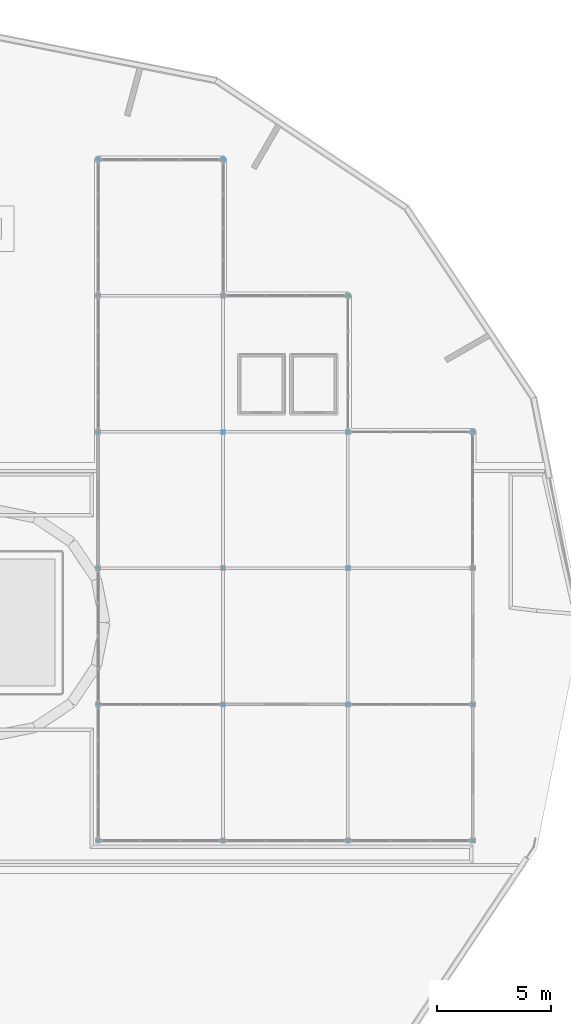
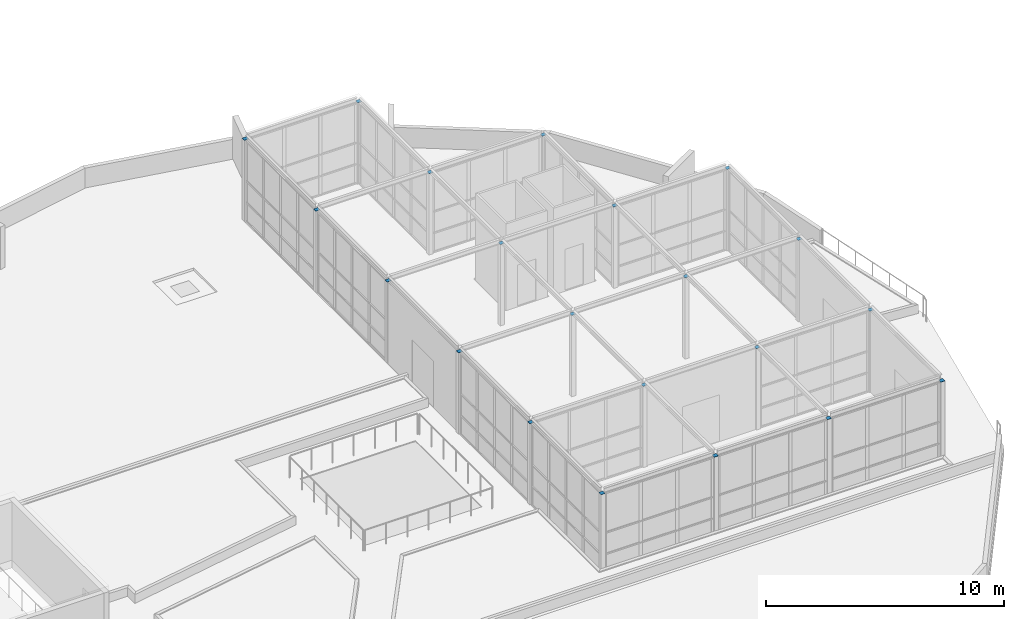
# One storey, part 34 of 40: 21 discrete accessories.
"""IFC4 building model written with IfcOpenShell, lengths in metres."""

from ifc_helpers import new_model, si_unit, direction, frame, origin, origin_2d, place, context, subcontext, project, spatial, rectangle, extrude, material, material_profile, profile_set, type_object, element, save


model = new_model("IFC4")

# Units and contexts
model_context = context("Model", 3, precision=1e-05, world=origin(), true_north=direction((0.0, 1.0)))
body_context = subcontext(model_context, "Body", "Model", "MODEL_VIEW")
ifc_project = project(units=[si_unit("LENGTHUNIT", "METRE"), si_unit("AREAUNIT", "SQUARE_METRE"), si_unit("VOLUMEUNIT", "CUBIC_METRE"), si_unit("PLANEANGLEUNIT", "RADIAN"), si_unit("MASSUNIT", "GRAM", prefix="KILO")], contexts=[model_context])

# Site, building, storey
site_placement = place(None, origin())
site = spatial("IfcSite", under=ifc_project, at=site_placement, CompositionType="ELEMENT")
building_placement = place(site_placement, origin())
building = spatial("IfcBuilding", under=site, at=building_placement, Name="Ceibo Conservatory and Research Tower", CompositionType="ELEMENT")
storey_placement = place(building_placement, frame((0.0, 0.0, 6.0)))
storey = spatial("IfcBuildingStorey", under=building, at=storey_placement, Name="L01", CompositionType="ELEMENT", Elevation=6.0)

# Discrete accessories
ifc_material = material(Name="Steel S355J2", Category="steel")
ifc_material_profile = material_profile(ifc_material, rectangle(XDim=0.199951171875, YDim=0.199951171875, at=origin_2d()), Name="End plate PL 200x200x10")
ifc_profile_set = profile_set([ifc_material_profile], Name="Steel S355J2")
discrete_accessory_type = type_object("IfcDiscreteAccessoryType", Name="End plate PL 200x200x10", PredefinedType="USERDEFINED", material=ifc_profile_set)
for number, where, z_axis, x_axis, name in (
    (1, (172.699951171875, 26.39990234375, 4.157958984375), (0.0, 0.0, 1.0), (1.0, 0.0, 0.0), "Sky Gallery column VC-SC00 end plate"),
    (2, (172.699951171875, 32.39990234375, 4.157958984375), (0.0, 0.0, 1.0), (1.0, 0.0, 0.0), "Sky Gallery column VC-SC01 end plate"),
    (3, (172.699951171875, 38.39990234375, 4.157958984375), (0.0, 0.0, 1.0), (1.0, 0.0, 0.0), "Sky Gallery column VC-SC02 end plate"),
    (4, (172.699951171875, 44.39990234375, 4.157958984375), (0.0, 0.0, 1.0), (1.0, 0.0, 0.0), "Sky Gallery column VC-SC03 end plate"),
    (5, (172.699951171875, 50.39990234375, 4.157958984375), (0.0, 0.0, 1.0), (1.0, 0.0, 0.0), "Sky Gallery column VC-SC04 end plate"),
    (6, (172.699951171875, 56.39990234375, 4.157958984375), (0.0, 0.0, 1.0), (1.0, 0.0, 0.0), "Sky Gallery column VC-SC05 end plate"),
    (7, (178.199951171875, 26.39990234375, 4.157958984375), (0.0, 0.0, 1.0), (1.0, 0.0, 0.0), "Sky Gallery column VC-SC10 end plate"),
    (8, (178.199951171875, 32.39990234375, 4.157958984375), (0.0, 0.0, 1.0), (1.0, 0.0, 0.0), "Sky Gallery column VC-SC11 end plate"),
    (9, (178.199951171875, 38.39990234375, 4.157958984375), (0.0, 0.0, 1.0), (1.0, 0.0, 0.0), "Sky Gallery column VC-SC12 end plate"),
    (10, (178.199951171875, 44.39990234375, 4.157958984375), (0.0, 0.0, 1.0), (1.0, 0.0, 0.0), "Sky Gallery column VC-SC13 end plate"),
    (11, (178.199951171875, 50.39990234375, 4.157958984375), (0.0, 0.0, 1.0), (1.0, 0.0, 0.0), "Sky Gallery column VC-SC14 end plate"),
    (12, (178.199951171875, 56.39990234375, 4.157958984375), (0.0, 0.0, 1.0), (1.0, 0.0, 0.0), "Sky Gallery column VC-SC15 end plate"),
    (13, (183.699951171875, 26.39990234375, 4.157958984375), (0.0, 0.0, 1.0), (1.0, 0.0, 0.0), "Sky Gallery column VC-SC20 end plate"),
    (14, (183.699951171875, 32.39990234375, 4.157958984375), (0.0, 0.0, 1.0), (1.0, 0.0, 0.0), "Sky Gallery column VC-SC21 end plate"),
    (15, (183.699951171875, 38.39990234375, 4.157958984375), (0.0, 0.0, 1.0), (1.0, 0.0, 0.0), "Sky Gallery column VC-SC22 end plate"),
    (16, (183.699951171875, 44.39990234375, 4.157958984375), (0.0, 0.0, 1.0), (1.0, 0.0, 0.0), "Sky Gallery column VC-SC23 end plate"),
    (17, (183.699951171875, 50.39990234375, 4.157958984375), (0.0, 0.0, 1.0), (1.0, 0.0, 0.0), "Sky Gallery column VC-SC24 end plate"),
    (18, (189.199951171875, 26.39990234375, 4.157958984375), (0.0, 0.0, 1.0), (1.0, 0.0, 0.0), "Sky Gallery column VC-SC30 end plate"),
    (19, (189.199951171875, 32.39990234375, 4.157958984375), (0.0, 0.0, 1.0), (1.0, 0.0, 0.0), "Sky Gallery column VC-SC31 end plate"),
    (20, (189.199951171875, 38.39990234375, 4.157958984375), (0.0, 0.0, 1.0), (1.0, 0.0, 0.0), "Sky Gallery column VC-SC32 end plate"),
    (21, (189.199951171875, 44.39990234375, 4.157958984375), (0.0, 0.0, 1.0), (1.0, 0.0, 0.0), "Sky Gallery column VC-SC33 end plate"),
):
    element("IfcDiscreteAccessory", number, at=place(storey_placement, frame(where, z_axis=z_axis, x_axis=x_axis)), inside=storey, type_object=discrete_accessory_type, Name=name, ObjectType="End plate", PredefinedType="USERDEFINED", context=body_context, shape_type="SweptSolid", body=[
        extrude(rectangle(XDim=0.199951171875, YDim=0.199951171875, at=origin_2d()), origin(), (0.0, 0.0, 1.0), 0.011962890625),
    ])

save(model, "model.ifc")
